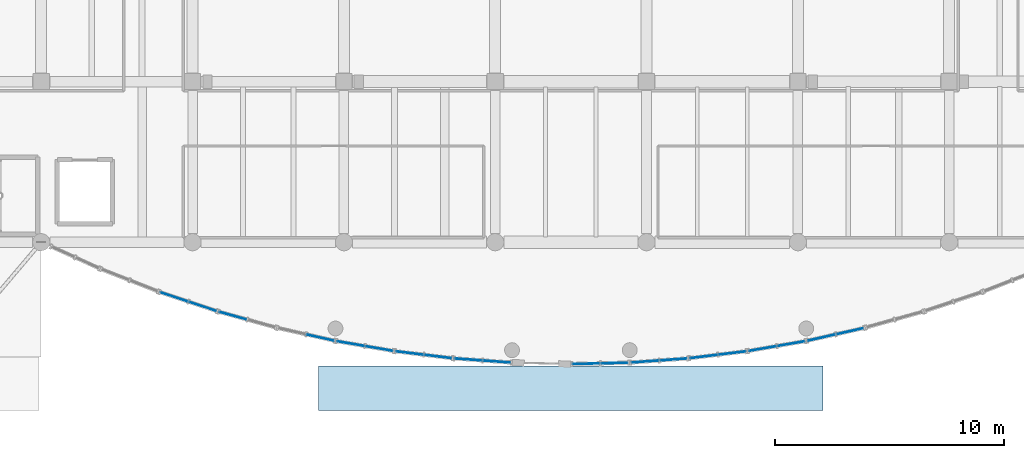
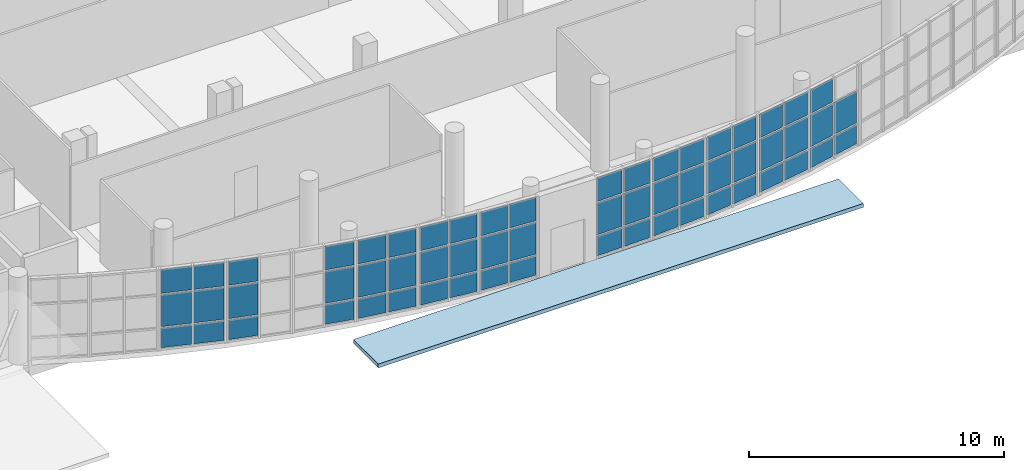
# One storey, part 35 of 69: 59 plates, 1 slab, 11 elements without a shape of their own.
"""IFC4 building model written with IfcOpenShell, lengths in metres."""

from ifc_helpers import new_model, si_unit, direction, frame, origin, origin_2d, place, context, subcontext, project, spatial, polyline, rectangle, outline, extrude, material, layer, layer_set, type_object, element, aggregate, save


model = new_model("IFC4")

# Units and contexts
model_context = context("Model", 3, precision=1e-05, world=origin(), true_north=direction((0.0, 1.0)))
body_context = subcontext(model_context, "Body", "Model", "MODEL_VIEW")
ifc_project = project(units=[si_unit("LENGTHUNIT", "METRE"), si_unit("AREAUNIT", "SQUARE_METRE"), si_unit("VOLUMEUNIT", "CUBIC_METRE"), si_unit("PLANEANGLEUNIT", "RADIAN"), si_unit("MASSUNIT", "GRAM", prefix="KILO")], contexts=[model_context])

# Site, building, storey
site_placement = place(None, origin())
site = spatial("IfcSite", under=ifc_project, at=site_placement, CompositionType="ELEMENT")
building_placement = place(site_placement, origin())
building = spatial("IfcBuilding", under=site, at=building_placement, Name="Ciguamira Faculty of Natural Sciences", CompositionType="ELEMENT")
storey_placement = place(building_placement, origin())
storey = spatial("IfcBuildingStorey", under=building, at=storey_placement, Name="L00", CompositionType="ELEMENT", Elevation=0.0)

# Curtain wall, plates
ifc_material_1 = material(Name="Anodized aluminium curtain wall", Category="aluminium")
curtain_wall_type_1 = type_object("IfcCurtainWallType", Name="CurtainWall_CW-09", PredefinedType="USERDEFINED", material=ifc_material_1)
curtain_wall_1_placement = place(storey_placement, origin())
curtain_wall_1 = element("IfcCurtainWall", 1, at=curtain_wall_1_placement, inside=storey, type_object=curtain_wall_type_1, Name="L00 south gallery curved curtain wall 03", ObjectType="UNITISED CURTAIN WALL", PredefinedType="USERDEFINED")
ifc_material_2 = material(Name="Low-E laminated solar glass", Category="glass")
ifc_layer_1 = layer(ifc_material_2, 0.028076171875, Name="Low-E laminated solar glass")
ifc_layer_set_1 = layer_set([ifc_layer_1], Name="Low-E laminated solar glass")
plate_type = type_object("IfcPlateType", Name="CWPanel_CWP-01", PredefinedType="CURTAIN_PANEL", material=ifc_layer_set_1)
plate_1_placement = place(storey_placement, frame((69.69384765625, 7.609619140625, 0.080078125), z_axis=(0.0, 0.0, 1.0), x_axis=(0.948735033862, -0.316072516242, 0.0)))
plate_1 = element("IfcPlate", 2, at=plate_1_placement, type_object=plate_type, Name="CW-09 panel 1.1", PredefinedType="CURTAIN_PANEL", context=body_context, shape_type="SweptSolid", body=[
    extrude(rectangle(XDim=1.232666015625, YDim=0.028076171875, at=origin_2d()), origin(), (0.0, 0.0, 1.0), 0.929931640625),
])
plate_2_placement = place(storey_placement, frame((69.69384765625, 7.609619140625, 1.090087890625), z_axis=(0.0, 0.0, 1.0), x_axis=(0.948735033862, -0.316072516242, 0.0)))
plate_2 = element("IfcPlate", 3, at=plate_2_placement, type_object=plate_type, Name="CW-09 panel 1.2", PredefinedType="CURTAIN_PANEL", context=body_context, shape_type="SweptSolid", body=[
    extrude(rectangle(XDim=1.232666015625, YDim=0.028076171875, at=origin_2d()), origin(), (0.0, 0.0, 1.0), 1.52001953125),
])
plate_3_placement = place(storey_placement, frame((69.69384765625, 7.609619140625, 2.68994140625), z_axis=(0.0, 0.0, 1.0), x_axis=(0.948735033862, -0.316072516242, 0.0)))
plate_3 = element("IfcPlate", 4, at=plate_3_placement, type_object=plate_type, Name="CW-09 panel 1.3", PredefinedType="CURTAIN_PANEL", context=body_context, shape_type="SweptSolid", body=[
    extrude(rectangle(XDim=1.232666015625, YDim=0.028076171875, at=origin_2d()), origin(), (0.0, 0.0, 1.0), 1.1298828125),
])
plate_4_placement = place(storey_placement, frame((70.939453125, 7.194580078125, 0.080078125), z_axis=(0.0, 0.0, 1.0), x_axis=(0.948735033862, -0.316072516242, 0.0)))
plate_4 = element("IfcPlate", 5, at=plate_4_placement, type_object=plate_type, Name="CW-09 panel 2.1", PredefinedType="CURTAIN_PANEL", context=body_context, shape_type="SweptSolid", body=[
    extrude(rectangle(XDim=1.232666015625, YDim=0.028076171875, at=origin_2d()), origin(), (0.0, 0.0, 1.0), 0.929931640625),
])
plate_5_placement = place(storey_placement, frame((70.939453125, 7.194580078125, 1.090087890625), z_axis=(0.0, 0.0, 1.0), x_axis=(0.948735033862, -0.316072516242, 0.0)))
plate_5 = element("IfcPlate", 6, at=plate_5_placement, type_object=plate_type, Name="CW-09 panel 2.2", PredefinedType="CURTAIN_PANEL", context=body_context, shape_type="SweptSolid", body=[
    extrude(rectangle(XDim=1.232666015625, YDim=0.028076171875, at=origin_2d()), origin(), (0.0, 0.0, 1.0), 1.52001953125),
])
plate_6_placement = place(storey_placement, frame((70.939453125, 7.194580078125, 2.68994140625), z_axis=(0.0, 0.0, 1.0), x_axis=(0.948735033862, -0.316072516242, 0.0)))
plate_6 = element("IfcPlate", 7, at=plate_6_placement, type_object=plate_type, Name="CW-09 panel 2.3", PredefinedType="CURTAIN_PANEL", context=body_context, shape_type="SweptSolid", body=[
    extrude(rectangle(XDim=1.232666015625, YDim=0.028076171875, at=origin_2d()), origin(), (0.0, 0.0, 1.0), 1.1298828125),
])
aggregate(curtain_wall_1, [plate_1, plate_2, plate_3, plate_4, plate_5, plate_6])

curtain_wall_type_2 = type_object("IfcCurtainWallType", Name="CurtainWall_CW-10", PredefinedType="USERDEFINED", material=ifc_material_1)
curtain_wall_2_placement = place(storey_placement, origin())
curtain_wall_2 = element("IfcCurtainWall", 8, at=curtain_wall_2_placement, inside=storey, type_object=curtain_wall_type_2, Name="L00 south gallery curved curtain wall 04", ObjectType="UNITISED CURTAIN WALL", PredefinedType="USERDEFINED")
plate_7_placement = place(storey_placement, frame((72.260986328125, 6.791015625, 0.080078125), z_axis=(0.0, 0.0, 1.0), x_axis=(0.963573286652, -0.267444426472, 0.0)))
plate_7 = element("IfcPlate", 9, at=plate_7_placement, type_object=plate_type, Name="CW-10 panel 1.1", PredefinedType="CURTAIN_PANEL", context=body_context, shape_type="SweptSolid", body=[
    extrude(rectangle(XDim=1.2119140625, YDim=0.028076171875, at=origin_2d()), origin(), (0.0, 0.0, 1.0), 0.929931640625),
])
plate_8_placement = place(storey_placement, frame((72.260986328125, 6.791015625, 1.090087890625), z_axis=(0.0, 0.0, 1.0), x_axis=(0.963573286652, -0.267444426472, 0.0)))
plate_8 = element("IfcPlate", 10, at=plate_8_placement, type_object=plate_type, Name="CW-10 panel 1.2", PredefinedType="CURTAIN_PANEL", context=body_context, shape_type="SweptSolid", body=[
    extrude(rectangle(XDim=1.2119140625, YDim=0.028076171875, at=origin_2d()), origin(), (0.0, 0.0, 1.0), 1.52001953125),
])
plate_9_placement = place(storey_placement, frame((72.260986328125, 6.791015625, 2.68994140625), z_axis=(0.0, 0.0, 1.0), x_axis=(0.963573286652, -0.267444426472, 0.0)))
plate_9 = element("IfcPlate", 11, at=plate_9_placement, type_object=plate_type, Name="CW-10 panel 1.3", PredefinedType="CURTAIN_PANEL", context=body_context, shape_type="SweptSolid", body=[
    extrude(rectangle(XDim=1.2119140625, YDim=0.028076171875, at=origin_2d()), origin(), (0.0, 0.0, 1.0), 1.1298828125),
])
aggregate(curtain_wall_2, [plate_7, plate_8, plate_9])

curtain_wall_type_3 = type_object("IfcCurtainWallType", Name="CurtainWall_CW-11", PredefinedType="USERDEFINED", material=ifc_material_1)
curtain_wall_3_placement = place(storey_placement, origin())
curtain_wall_3 = element("IfcCurtainWall", 12, at=curtain_wall_3_placement, inside=storey, type_object=curtain_wall_type_3, Name="L00 south gallery curved curtain wall 05", ObjectType="UNITISED CURTAIN WALL", PredefinedType="USERDEFINED")
plate_10_placement = place(storey_placement, frame((76.072021484375, 5.834716796875, 0.080078125), z_axis=(0.0, 0.0, 1.0), x_axis=(0.975762990759, -0.218830038763, 0.0)))
plate_10 = element("IfcPlate", 13, at=plate_10_placement, type_object=plate_type, Name="CW-11 panel 2.1", PredefinedType="CURTAIN_PANEL", context=body_context, shape_type="SweptSolid", body=[
    extrude(rectangle(XDim=1.195068359375, YDim=0.028076171875, at=origin_2d()), origin(), (0.0, 0.0, 1.0), 0.929931640625),
])
plate_11_placement = place(storey_placement, frame((76.072021484375, 5.834716796875, 1.090087890625), z_axis=(0.0, 0.0, 1.0), x_axis=(0.975762990759, -0.218830038763, 0.0)))
plate_11 = element("IfcPlate", 14, at=plate_11_placement, type_object=plate_type, Name="CW-11 panel 2.2", PredefinedType="CURTAIN_PANEL", context=body_context, shape_type="SweptSolid", body=[
    extrude(rectangle(XDim=1.195068359375, YDim=0.028076171875, at=origin_2d()), origin(), (0.0, 0.0, 1.0), 1.52001953125),
])
plate_12_placement = place(storey_placement, frame((76.072021484375, 5.834716796875, 2.68994140625), z_axis=(0.0, 0.0, 1.0), x_axis=(0.975762990759, -0.218830038763, 0.0)))
plate_12 = element("IfcPlate", 15, at=plate_12_placement, type_object=plate_type, Name="CW-11 panel 2.3", PredefinedType="CURTAIN_PANEL", context=body_context, shape_type="SweptSolid", body=[
    extrude(rectangle(XDim=1.195068359375, YDim=0.028076171875, at=origin_2d()), origin(), (0.0, 0.0, 1.0), 1.1298828125),
])
aggregate(curtain_wall_3, [plate_10, plate_11, plate_12])

curtain_wall_type_4 = type_object("IfcCurtainWallType", Name="CurtainWall_CW-12", PredefinedType="USERDEFINED", material=ifc_material_1)
curtain_wall_4_placement = place(storey_placement, origin())
curtain_wall_4 = element("IfcCurtainWall", 16, at=curtain_wall_4_placement, inside=storey, type_object=curtain_wall_type_4, Name="L00 south gallery curved curtain wall 06", ObjectType="UNITISED CURTAIN WALL", PredefinedType="USERDEFINED")
plate_13_placement = place(storey_placement, frame((77.394775390625, 5.572265625, 0.080078125), z_axis=(0.0, 0.0, 1.0), x_axis=(0.985410865099, -0.170192323402, 0.0)))
plate_13 = element("IfcPlate", 17, at=plate_13_placement, type_object=plate_type, Name="CW-12 panel 1.1", PredefinedType="CURTAIN_PANEL", context=body_context, shape_type="SweptSolid", body=[
    extrude(rectangle(XDim=1.182373046875, YDim=0.028076171875, at=origin_2d()), origin(), (0.0, 0.0, 1.0), 0.929931640625),
])
plate_14_placement = place(storey_placement, frame((77.394775390625, 5.572265625, 1.090087890625), z_axis=(0.0, 0.0, 1.0), x_axis=(0.985410865099, -0.170192323402, 0.0)))
plate_14 = element("IfcPlate", 18, at=plate_14_placement, type_object=plate_type, Name="CW-12 panel 1.2", PredefinedType="CURTAIN_PANEL", context=body_context, shape_type="SweptSolid", body=[
    extrude(rectangle(XDim=1.182373046875, YDim=0.028076171875, at=origin_2d()), origin(), (0.0, 0.0, 1.0), 1.52001953125),
])
plate_15_placement = place(storey_placement, frame((77.394775390625, 5.572265625, 2.68994140625), z_axis=(0.0, 0.0, 1.0), x_axis=(0.985410865099, -0.170192323402, 0.0)))
plate_15 = element("IfcPlate", 19, at=plate_15_placement, type_object=plate_type, Name="CW-12 panel 1.3", PredefinedType="CURTAIN_PANEL", context=body_context, shape_type="SweptSolid", body=[
    extrude(rectangle(XDim=1.182373046875, YDim=0.028076171875, at=origin_2d()), origin(), (0.0, 0.0, 1.0), 1.1298828125),
])
plate_16_placement = place(storey_placement, frame((78.638671875, 5.357421875, 0.080078125), z_axis=(0.0, 0.0, 1.0), x_axis=(0.985410865099, -0.170192323402, 0.0)))
plate_16 = element("IfcPlate", 20, at=plate_16_placement, type_object=plate_type, Name="CW-12 panel 2.1", PredefinedType="CURTAIN_PANEL", context=body_context, shape_type="SweptSolid", body=[
    extrude(rectangle(XDim=1.182373046875, YDim=0.028076171875, at=origin_2d()), origin(), (0.0, 0.0, 1.0), 0.929931640625),
])
plate_17_placement = place(storey_placement, frame((78.638671875, 5.357421875, 1.090087890625), z_axis=(0.0, 0.0, 1.0), x_axis=(0.985410865099, -0.170192323402, 0.0)))
plate_17 = element("IfcPlate", 21, at=plate_17_placement, type_object=plate_type, Name="CW-12 panel 2.2", PredefinedType="CURTAIN_PANEL", context=body_context, shape_type="SweptSolid", body=[
    extrude(rectangle(XDim=1.182373046875, YDim=0.028076171875, at=origin_2d()), origin(), (0.0, 0.0, 1.0), 1.52001953125),
])
plate_18_placement = place(storey_placement, frame((78.638671875, 5.357421875, 2.68994140625), z_axis=(0.0, 0.0, 1.0), x_axis=(0.985410865099, -0.170192323402, 0.0)))
plate_18 = element("IfcPlate", 22, at=plate_18_placement, type_object=plate_type, Name="CW-12 panel 2.3", PredefinedType="CURTAIN_PANEL", context=body_context, shape_type="SweptSolid", body=[
    extrude(rectangle(XDim=1.182373046875, YDim=0.028076171875, at=origin_2d()), origin(), (0.0, 0.0, 1.0), 1.1298828125),
])
aggregate(curtain_wall_4, [plate_13, plate_14, plate_15, plate_16, plate_17, plate_18])

curtain_wall_type_5 = type_object("IfcCurtainWallType", Name="CurtainWall_CW-01", PredefinedType="USERDEFINED", material=ifc_material_1)
curtain_wall_5_placement = place(storey_placement, origin())
curtain_wall_5 = element("IfcCurtainWall", 23, at=curtain_wall_5_placement, inside=storey, type_object=curtain_wall_type_5, Name="L00 south gallery curved curtain wall 07", ObjectType="UNITISED CURTAIN WALL", PredefinedType="USERDEFINED")
plate_19_placement = place(storey_placement, frame((79.96142578125, 5.162109375, 0.080078125), z_axis=(0.0, 0.0, 1.0), x_axis=(0.992585912631, -0.12154507825, 0.0)))
plate_19 = element("IfcPlate", 24, at=plate_19_placement, type_object=plate_type, Name="CW-01 panel 1.1", PredefinedType="CURTAIN_PANEL", context=body_context, shape_type="SweptSolid", body=[
    extrude(rectangle(XDim=1.1728515625, YDim=0.028076171875, at=origin_2d()), origin(), (0.0, 0.0, 1.0), 0.929931640625),
])
plate_20_placement = place(storey_placement, frame((79.96142578125, 5.162109375, 1.090087890625), z_axis=(0.0, 0.0, 1.0), x_axis=(0.992585912631, -0.12154507825, 0.0)))
plate_20 = element("IfcPlate", 25, at=plate_20_placement, type_object=plate_type, Name="CW-01 panel 1.2", PredefinedType="CURTAIN_PANEL", context=body_context, shape_type="SweptSolid", body=[
    extrude(rectangle(XDim=1.1728515625, YDim=0.028076171875, at=origin_2d()), origin(), (0.0, 0.0, 1.0), 1.52001953125),
])
plate_21_placement = place(storey_placement, frame((79.96142578125, 5.162109375, 2.68994140625), z_axis=(0.0, 0.0, 1.0), x_axis=(0.992585912631, -0.12154507825, 0.0)))
plate_21 = element("IfcPlate", 26, at=plate_21_placement, type_object=plate_type, Name="CW-01 panel 1.3", PredefinedType="CURTAIN_PANEL", context=body_context, shape_type="SweptSolid", body=[
    extrude(rectangle(XDim=1.1728515625, YDim=0.028076171875, at=origin_2d()), origin(), (0.0, 0.0, 1.0), 1.1298828125),
])
plate_22_placement = place(storey_placement, frame((81.205078125, 5.010009765625, 0.080078125), z_axis=(0.0, 0.0, 1.0), x_axis=(0.992585912631, -0.12154507825, 0.0)))
plate_22 = element("IfcPlate", 27, at=plate_22_placement, type_object=plate_type, Name="CW-01 panel 2.1", PredefinedType="CURTAIN_PANEL", context=body_context, shape_type="SweptSolid", body=[
    extrude(rectangle(XDim=1.1728515625, YDim=0.028076171875, at=origin_2d()), origin(), (0.0, 0.0, 1.0), 0.929931640625),
])
plate_23_placement = place(storey_placement, frame((81.205078125, 5.010009765625, 1.090087890625), z_axis=(0.0, 0.0, 1.0), x_axis=(0.992585912631, -0.12154507825, 0.0)))
plate_23 = element("IfcPlate", 28, at=plate_23_placement, type_object=plate_type, Name="CW-01 panel 2.2", PredefinedType="CURTAIN_PANEL", context=body_context, shape_type="SweptSolid", body=[
    extrude(rectangle(XDim=1.1728515625, YDim=0.028076171875, at=origin_2d()), origin(), (0.0, 0.0, 1.0), 1.52001953125),
])
plate_24_placement = place(storey_placement, frame((81.205078125, 5.010009765625, 2.68994140625), z_axis=(0.0, 0.0, 1.0), x_axis=(0.992585912631, -0.12154507825, 0.0)))
plate_24 = element("IfcPlate", 29, at=plate_24_placement, type_object=plate_type, Name="CW-01 panel 2.3", PredefinedType="CURTAIN_PANEL", context=body_context, shape_type="SweptSolid", body=[
    extrude(rectangle(XDim=1.1728515625, YDim=0.028076171875, at=origin_2d()), origin(), (0.0, 0.0, 1.0), 1.1298828125),
])
aggregate(curtain_wall_5, [plate_19, plate_20, plate_21, plate_22, plate_23, plate_24])

curtain_wall_type_6 = type_object("IfcCurtainWallType", Name="CurtainWall_CW-02", PredefinedType="USERDEFINED", material=ifc_material_1)
curtain_wall_6_placement = place(storey_placement, origin())
curtain_wall_6 = element("IfcCurtainWall", 30, at=curtain_wall_6_placement, inside=storey, type_object=curtain_wall_type_6, Name="L00 south gallery curved curtain wall 08", ObjectType="UNITISED CURTAIN WALL", PredefinedType="USERDEFINED")
plate_25_placement = place(storey_placement, frame((82.5283203125, 4.880615234375, 0.080078125), z_axis=(0.0, 0.0, 1.0), x_axis=(0.99733655099, -0.072936986916, 0.0)))
plate_25 = element("IfcPlate", 31, at=plate_25_placement, type_object=plate_type, Name="CW-02 panel 1.1", PredefinedType="CURTAIN_PANEL", context=body_context, shape_type="SweptSolid", body=[
    extrude(rectangle(XDim=1.166748046875, YDim=0.028076171875, at=origin_2d()), origin(), (0.0, 0.0, 1.0), 0.929931640625),
])
plate_26_placement = place(storey_placement, frame((82.5283203125, 4.880615234375, 1.090087890625), z_axis=(0.0, 0.0, 1.0), x_axis=(0.99733655099, -0.072936986916, 0.0)))
plate_26 = element("IfcPlate", 32, at=plate_26_placement, type_object=plate_type, Name="CW-02 panel 1.2", PredefinedType="CURTAIN_PANEL", context=body_context, shape_type="SweptSolid", body=[
    extrude(rectangle(XDim=1.166748046875, YDim=0.028076171875, at=origin_2d()), origin(), (0.0, 0.0, 1.0), 1.52001953125),
])
plate_27_placement = place(storey_placement, frame((82.5283203125, 4.880615234375, 2.68994140625), z_axis=(0.0, 0.0, 1.0), x_axis=(0.99733655099, -0.072936986916, 0.0)))
plate_27 = element("IfcPlate", 33, at=plate_27_placement, type_object=plate_type, Name="CW-02 panel 1.3", PredefinedType="CURTAIN_PANEL", context=body_context, shape_type="SweptSolid", body=[
    extrude(rectangle(XDim=1.166748046875, YDim=0.028076171875, at=origin_2d()), origin(), (0.0, 0.0, 1.0), 1.1298828125),
])
plate_28_placement = place(storey_placement, frame((83.771728515625, 4.78955078125, 0.080078125), z_axis=(0.0, 0.0, 1.0), x_axis=(0.99733655099, -0.072936986916, 0.0)))
plate_28 = element("IfcPlate", 34, at=plate_28_placement, type_object=plate_type, Name="CW-02 panel 2.1", PredefinedType="CURTAIN_PANEL", context=body_context, shape_type="SweptSolid", body=[
    extrude(rectangle(XDim=1.166748046875, YDim=0.028076171875, at=origin_2d()), origin(), (0.0, 0.0, 1.0), 0.929931640625),
])
plate_29_placement = place(storey_placement, frame((83.771728515625, 4.78955078125, 1.090087890625), z_axis=(0.0, 0.0, 1.0), x_axis=(0.99733655099, -0.072936986916, 0.0)))
plate_29 = element("IfcPlate", 35, at=plate_29_placement, type_object=plate_type, Name="CW-02 panel 2.2", PredefinedType="CURTAIN_PANEL", context=body_context, shape_type="SweptSolid", body=[
    extrude(rectangle(XDim=1.166748046875, YDim=0.028076171875, at=origin_2d()), origin(), (0.0, 0.0, 1.0), 1.52001953125),
])
plate_30_placement = place(storey_placement, frame((83.771728515625, 4.78955078125, 2.68994140625), z_axis=(0.0, 0.0, 1.0), x_axis=(0.99733655099, -0.072936986916, 0.0)))
plate_30 = element("IfcPlate", 36, at=plate_30_placement, type_object=plate_type, Name="CW-02 panel 2.3", PredefinedType="CURTAIN_PANEL", context=body_context, shape_type="SweptSolid", body=[
    extrude(rectangle(XDim=1.166748046875, YDim=0.028076171875, at=origin_2d()), origin(), (0.0, 0.0, 1.0), 1.1298828125),
])
aggregate(curtain_wall_6, [plate_25, plate_26, plate_27, plate_28, plate_29, plate_30])

curtain_wall_type_7 = type_object("IfcCurtainWallType", Name="CurtainWall_CW-03", PredefinedType="USERDEFINED", material=ifc_material_1)
curtain_wall_7_placement = place(storey_placement, origin())
curtain_wall_7 = element("IfcCurtainWall", 37, at=curtain_wall_7_placement, inside=storey, type_object=curtain_wall_type_7, Name="L00 south gallery curved curtain wall 10", ObjectType="UNITISED CURTAIN WALL", PredefinedType="USERDEFINED")
plate_31_placement = place(storey_placement, frame((87.66162109375, 4.69482421875, 0.080078125), z_axis=(0.0, 0.0, 1.0), x_axis=(0.999703662415, 0.024343117197, 0.0)))
plate_31 = element("IfcPlate", 38, at=plate_31_placement, type_object=plate_type, Name="CW-03 panel 1.1", PredefinedType="CURTAIN_PANEL", context=body_context, shape_type="SweptSolid", body=[
    extrude(rectangle(XDim=1.163818359375, YDim=0.028076171875, at=origin_2d()), origin(), (0.0, 0.0, 1.0), 0.929931640625),
])
plate_32_placement = place(storey_placement, frame((87.66162109375, 4.69482421875, 1.090087890625), z_axis=(0.0, 0.0, 1.0), x_axis=(0.999703662415, 0.024343117197, 0.0)))
plate_32 = element("IfcPlate", 39, at=plate_32_placement, type_object=plate_type, Name="CW-03 panel 1.2", PredefinedType="CURTAIN_PANEL", context=body_context, shape_type="SweptSolid", body=[
    extrude(rectangle(XDim=1.163818359375, YDim=0.028076171875, at=origin_2d()), origin(), (0.0, 0.0, 1.0), 1.52001953125),
])
plate_33_placement = place(storey_placement, frame((87.66162109375, 4.69482421875, 2.68994140625), z_axis=(0.0, 0.0, 1.0), x_axis=(0.999703662415, 0.024343117197, 0.0)))
plate_33 = element("IfcPlate", 40, at=plate_33_placement, type_object=plate_type, Name="CW-03 panel 1.3", PredefinedType="CURTAIN_PANEL", context=body_context, shape_type="SweptSolid", body=[
    extrude(rectangle(XDim=1.163818359375, YDim=0.028076171875, at=origin_2d()), origin(), (0.0, 0.0, 1.0), 1.1298828125),
])
plate_34_placement = place(storey_placement, frame((88.905029296875, 4.72509765625, 0.080078125), z_axis=(0.0, 0.0, 1.0), x_axis=(0.999703662415, 0.024343117197, 0.0)))
plate_34 = element("IfcPlate", 41, at=plate_34_placement, type_object=plate_type, Name="CW-03 panel 2.1", PredefinedType="CURTAIN_PANEL", context=body_context, shape_type="SweptSolid", body=[
    extrude(rectangle(XDim=1.163818359375, YDim=0.028076171875, at=origin_2d()), origin(), (0.0, 0.0, 1.0), 0.929931640625),
])
plate_35_placement = place(storey_placement, frame((88.905029296875, 4.72509765625, 1.090087890625), z_axis=(0.0, 0.0, 1.0), x_axis=(0.999703662415, 0.024343117197, 0.0)))
plate_35 = element("IfcPlate", 42, at=plate_35_placement, type_object=plate_type, Name="CW-03 panel 2.2", PredefinedType="CURTAIN_PANEL", context=body_context, shape_type="SweptSolid", body=[
    extrude(rectangle(XDim=1.163818359375, YDim=0.028076171875, at=origin_2d()), origin(), (0.0, 0.0, 1.0), 1.52001953125),
])
plate_36_placement = place(storey_placement, frame((88.905029296875, 4.72509765625, 2.68994140625), z_axis=(0.0, 0.0, 1.0), x_axis=(0.999703662415, 0.024343117197, 0.0)))
plate_36 = element("IfcPlate", 43, at=plate_36_placement, type_object=plate_type, Name="CW-03 panel 2.3", PredefinedType="CURTAIN_PANEL", context=body_context, shape_type="SweptSolid", body=[
    extrude(rectangle(XDim=1.163818359375, YDim=0.028076171875, at=origin_2d()), origin(), (0.0, 0.0, 1.0), 1.1298828125),
])
aggregate(curtain_wall_7, [plate_31, plate_32, plate_33, plate_34, plate_35, plate_36])

curtain_wall_type_8 = type_object("IfcCurtainWallType", Name="CurtainWall_CW-04", PredefinedType="USERDEFINED", material=ifc_material_1)
curtain_wall_8_placement = place(storey_placement, origin())
curtain_wall_8 = element("IfcCurtainWall", 44, at=curtain_wall_8_placement, inside=storey, type_object=curtain_wall_type_8, Name="L00 south gallery curved curtain wall 11", ObjectType="UNITISED CURTAIN WALL", PredefinedType="USERDEFINED")
plate_37_placement = place(storey_placement, frame((90.228271484375, 4.78955078125, 0.080078125), z_axis=(0.0, 0.0, 1.0), x_axis=(0.99733655099, 0.072936986916, 0.0)))
plate_37 = element("IfcPlate", 45, at=plate_37_placement, type_object=plate_type, Name="CW-04 panel 1.1", PredefinedType="CURTAIN_PANEL", context=body_context, shape_type="SweptSolid", body=[
    extrude(rectangle(XDim=1.166748046875, YDim=0.028076171875, at=origin_2d()), origin(), (0.0, 0.0, 1.0), 0.929931640625),
])
plate_38_placement = place(storey_placement, frame((90.228271484375, 4.78955078125, 1.090087890625), z_axis=(0.0, 0.0, 1.0), x_axis=(0.99733655099, 0.072936986916, 0.0)))
plate_38 = element("IfcPlate", 46, at=plate_38_placement, type_object=plate_type, Name="CW-04 panel 1.2", PredefinedType="CURTAIN_PANEL", context=body_context, shape_type="SweptSolid", body=[
    extrude(rectangle(XDim=1.166748046875, YDim=0.028076171875, at=origin_2d()), origin(), (0.0, 0.0, 1.0), 1.52001953125),
])
plate_39_placement = place(storey_placement, frame((90.228271484375, 4.78955078125, 2.68994140625), z_axis=(0.0, 0.0, 1.0), x_axis=(0.99733655099, 0.072936986916, 0.0)))
plate_39 = element("IfcPlate", 47, at=plate_39_placement, type_object=plate_type, Name="CW-04 panel 1.3", PredefinedType="CURTAIN_PANEL", context=body_context, shape_type="SweptSolid", body=[
    extrude(rectangle(XDim=1.166748046875, YDim=0.028076171875, at=origin_2d()), origin(), (0.0, 0.0, 1.0), 1.1298828125),
])
plate_40_placement = place(storey_placement, frame((91.4716796875, 4.880615234375, 0.080078125), z_axis=(0.0, 0.0, 1.0), x_axis=(0.99733655099, 0.072936986916, 0.0)))
plate_40 = element("IfcPlate", 48, at=plate_40_placement, type_object=plate_type, Name="CW-04 panel 2.1", PredefinedType="CURTAIN_PANEL", context=body_context, shape_type="SweptSolid", body=[
    extrude(rectangle(XDim=1.166748046875, YDim=0.028076171875, at=origin_2d()), origin(), (0.0, 0.0, 1.0), 0.929931640625),
])
plate_41_placement = place(storey_placement, frame((91.4716796875, 4.880615234375, 1.090087890625), z_axis=(0.0, 0.0, 1.0), x_axis=(0.99733655099, 0.072936986916, 0.0)))
plate_41 = element("IfcPlate", 49, at=plate_41_placement, type_object=plate_type, Name="CW-04 panel 2.2", PredefinedType="CURTAIN_PANEL", context=body_context, shape_type="SweptSolid", body=[
    extrude(rectangle(XDim=1.166748046875, YDim=0.028076171875, at=origin_2d()), origin(), (0.0, 0.0, 1.0), 1.52001953125),
])
plate_42_placement = place(storey_placement, frame((91.4716796875, 4.880615234375, 2.68994140625), z_axis=(0.0, 0.0, 1.0), x_axis=(0.99733655099, 0.072936986916, 0.0)))
plate_42 = element("IfcPlate", 50, at=plate_42_placement, type_object=plate_type, Name="CW-04 panel 2.3", PredefinedType="CURTAIN_PANEL", context=body_context, shape_type="SweptSolid", body=[
    extrude(rectangle(XDim=1.166748046875, YDim=0.028076171875, at=origin_2d()), origin(), (0.0, 0.0, 1.0), 1.1298828125),
])
aggregate(curtain_wall_8, [plate_37, plate_38, plate_39, plate_40, plate_41, plate_42])

curtain_wall_type_9 = type_object("IfcCurtainWallType", Name="CurtainWall_CW-05", PredefinedType="USERDEFINED", material=ifc_material_1)
curtain_wall_9_placement = place(storey_placement, origin())
curtain_wall_9 = element("IfcCurtainWall", 51, at=curtain_wall_9_placement, inside=storey, type_object=curtain_wall_type_9, Name="L00 south gallery curved curtain wall 12", ObjectType="UNITISED CURTAIN WALL", PredefinedType="USERDEFINED")
plate_43_placement = place(storey_placement, frame((92.794921875, 5.010009765625, 0.080078125), z_axis=(0.0, 0.0, 1.0), x_axis=(0.992585912631, 0.12154507825, 0.0)))
plate_43 = element("IfcPlate", 52, at=plate_43_placement, type_object=plate_type, Name="CW-05 panel 1.1", PredefinedType="CURTAIN_PANEL", context=body_context, shape_type="SweptSolid", body=[
    extrude(rectangle(XDim=1.1728515625, YDim=0.028076171875, at=origin_2d()), origin(), (0.0, 0.0, 1.0), 0.929931640625),
])
plate_44_placement = place(storey_placement, frame((92.794921875, 5.010009765625, 1.090087890625), z_axis=(0.0, 0.0, 1.0), x_axis=(0.992585912631, 0.12154507825, 0.0)))
plate_44 = element("IfcPlate", 53, at=plate_44_placement, type_object=plate_type, Name="CW-05 panel 1.2", PredefinedType="CURTAIN_PANEL", context=body_context, shape_type="SweptSolid", body=[
    extrude(rectangle(XDim=1.1728515625, YDim=0.028076171875, at=origin_2d()), origin(), (0.0, 0.0, 1.0), 1.52001953125),
])
plate_45_placement = place(storey_placement, frame((92.794921875, 5.010009765625, 2.68994140625), z_axis=(0.0, 0.0, 1.0), x_axis=(0.992585912631, 0.12154507825, 0.0)))
plate_45 = element("IfcPlate", 54, at=plate_45_placement, type_object=plate_type, Name="CW-05 panel 1.3", PredefinedType="CURTAIN_PANEL", context=body_context, shape_type="SweptSolid", body=[
    extrude(rectangle(XDim=1.1728515625, YDim=0.028076171875, at=origin_2d()), origin(), (0.0, 0.0, 1.0), 1.1298828125),
])
plate_46_placement = place(storey_placement, frame((94.03857421875, 5.162109375, 0.080078125), z_axis=(0.0, 0.0, 1.0), x_axis=(0.992585912631, 0.12154507825, 0.0)))
plate_46 = element("IfcPlate", 55, at=plate_46_placement, type_object=plate_type, Name="CW-05 panel 2.1", PredefinedType="CURTAIN_PANEL", context=body_context, shape_type="SweptSolid", body=[
    extrude(rectangle(XDim=1.1728515625, YDim=0.028076171875, at=origin_2d()), origin(), (0.0, 0.0, 1.0), 0.929931640625),
])
plate_47_placement = place(storey_placement, frame((94.03857421875, 5.162109375, 1.090087890625), z_axis=(0.0, 0.0, 1.0), x_axis=(0.992585912631, 0.12154507825, 0.0)))
plate_47 = element("IfcPlate", 56, at=plate_47_placement, type_object=plate_type, Name="CW-05 panel 2.2", PredefinedType="CURTAIN_PANEL", context=body_context, shape_type="SweptSolid", body=[
    extrude(rectangle(XDim=1.1728515625, YDim=0.028076171875, at=origin_2d()), origin(), (0.0, 0.0, 1.0), 1.52001953125),
])
plate_48_placement = place(storey_placement, frame((94.03857421875, 5.162109375, 2.68994140625), z_axis=(0.0, 0.0, 1.0), x_axis=(0.992585912631, 0.12154507825, 0.0)))
plate_48 = element("IfcPlate", 57, at=plate_48_placement, type_object=plate_type, Name="CW-05 panel 2.3", PredefinedType="CURTAIN_PANEL", context=body_context, shape_type="SweptSolid", body=[
    extrude(rectangle(XDim=1.1728515625, YDim=0.028076171875, at=origin_2d()), origin(), (0.0, 0.0, 1.0), 1.1298828125),
])
aggregate(curtain_wall_9, [plate_43, plate_44, plate_45, plate_46, plate_47, plate_48])

curtain_wall_type_10 = type_object("IfcCurtainWallType", Name="CurtainWall_CW-06", PredefinedType="USERDEFINED", material=ifc_material_1)
curtain_wall_10_placement = place(storey_placement, origin())
curtain_wall_10 = element("IfcCurtainWall", 58, at=curtain_wall_10_placement, inside=storey, type_object=curtain_wall_type_10, Name="L00 south gallery curved curtain wall 13", ObjectType="UNITISED CURTAIN WALL", PredefinedType="USERDEFINED")
plate_49_placement = place(storey_placement, frame((95.361328125, 5.357421875, 0.080078125), z_axis=(0.0, 0.0, 1.0), x_axis=(0.985410865099, 0.170192323402, 0.0)))
plate_49 = element("IfcPlate", 59, at=plate_49_placement, type_object=plate_type, Name="CW-06 panel 1.1", PredefinedType="CURTAIN_PANEL", context=body_context, shape_type="SweptSolid", body=[
    extrude(rectangle(XDim=1.182373046875, YDim=0.028076171875, at=origin_2d()), origin(), (0.0, 0.0, 1.0), 0.929931640625),
])
plate_50_placement = place(storey_placement, frame((95.361328125, 5.357421875, 1.090087890625), z_axis=(0.0, 0.0, 1.0), x_axis=(0.985410865099, 0.170192323402, 0.0)))
plate_50 = element("IfcPlate", 60, at=plate_50_placement, type_object=plate_type, Name="CW-06 panel 1.2", PredefinedType="CURTAIN_PANEL", context=body_context, shape_type="SweptSolid", body=[
    extrude(rectangle(XDim=1.182373046875, YDim=0.028076171875, at=origin_2d()), origin(), (0.0, 0.0, 1.0), 1.52001953125),
])
plate_51_placement = place(storey_placement, frame((95.361328125, 5.357421875, 2.68994140625), z_axis=(0.0, 0.0, 1.0), x_axis=(0.985410865099, 0.170192323402, 0.0)))
plate_51 = element("IfcPlate", 61, at=plate_51_placement, type_object=plate_type, Name="CW-06 panel 1.3", PredefinedType="CURTAIN_PANEL", context=body_context, shape_type="SweptSolid", body=[
    extrude(rectangle(XDim=1.182373046875, YDim=0.028076171875, at=origin_2d()), origin(), (0.0, 0.0, 1.0), 1.1298828125),
])
plate_52_placement = place(storey_placement, frame((96.605224609375, 5.572265625, 0.080078125), z_axis=(0.0, 0.0, 1.0), x_axis=(0.985410865099, 0.170192323402, 0.0)))
plate_52 = element("IfcPlate", 62, at=plate_52_placement, type_object=plate_type, Name="CW-06 panel 2.1", PredefinedType="CURTAIN_PANEL", context=body_context, shape_type="SweptSolid", body=[
    extrude(rectangle(XDim=1.182373046875, YDim=0.028076171875, at=origin_2d()), origin(), (0.0, 0.0, 1.0), 0.929931640625),
])
plate_53_placement = place(storey_placement, frame((96.605224609375, 5.572265625, 1.090087890625), z_axis=(0.0, 0.0, 1.0), x_axis=(0.985410865099, 0.170192323402, 0.0)))
plate_53 = element("IfcPlate", 63, at=plate_53_placement, type_object=plate_type, Name="CW-06 panel 2.2", PredefinedType="CURTAIN_PANEL", context=body_context, shape_type="SweptSolid", body=[
    extrude(rectangle(XDim=1.182373046875, YDim=0.028076171875, at=origin_2d()), origin(), (0.0, 0.0, 1.0), 1.52001953125),
])
plate_54_placement = place(storey_placement, frame((96.605224609375, 5.572265625, 2.68994140625), z_axis=(0.0, 0.0, 1.0), x_axis=(0.985410865099, 0.170192323402, 0.0)))
plate_54 = element("IfcPlate", 64, at=plate_54_placement, type_object=plate_type, Name="CW-06 panel 2.3", PredefinedType="CURTAIN_PANEL", context=body_context, shape_type="SweptSolid", body=[
    extrude(rectangle(XDim=1.182373046875, YDim=0.028076171875, at=origin_2d()), origin(), (0.0, 0.0, 1.0), 1.1298828125),
])
aggregate(curtain_wall_10, [plate_49, plate_50, plate_51, plate_52, plate_53, plate_54])

curtain_wall_type_11 = type_object("IfcCurtainWallType", Name="CurtainWall_CW-07", PredefinedType="USERDEFINED", material=ifc_material_1)
curtain_wall_11_placement = place(storey_placement, origin())
curtain_wall_11 = element("IfcCurtainWall", 65, at=curtain_wall_11_placement, inside=storey, type_object=curtain_wall_type_11, Name="L00 south gallery curved curtain wall 14", ObjectType="UNITISED CURTAIN WALL", PredefinedType="USERDEFINED")
plate_55_placement = place(storey_placement, frame((97.927978515625, 5.834716796875, 0.080078125), z_axis=(0.0, 0.0, 1.0), x_axis=(0.975762990759, 0.218830038763, 0.0)))
plate_55 = element("IfcPlate", 66, at=plate_55_placement, type_object=plate_type, Name="CW-07 panel 1.1", PredefinedType="CURTAIN_PANEL", context=body_context, shape_type="SweptSolid", body=[
    extrude(rectangle(XDim=1.195068359375, YDim=0.028076171875, at=origin_2d()), origin(), (0.0, 0.0, 1.0), 0.929931640625),
])
plate_56_placement = place(storey_placement, frame((97.927978515625, 5.834716796875, 1.090087890625), z_axis=(0.0, 0.0, 1.0), x_axis=(0.975762990759, 0.218830038763, 0.0)))
plate_56 = element("IfcPlate", 67, at=plate_56_placement, type_object=plate_type, Name="CW-07 panel 1.2", PredefinedType="CURTAIN_PANEL", context=body_context, shape_type="SweptSolid", body=[
    extrude(rectangle(XDim=1.195068359375, YDim=0.028076171875, at=origin_2d()), origin(), (0.0, 0.0, 1.0), 1.52001953125),
])
plate_57_placement = place(storey_placement, frame((97.927978515625, 5.834716796875, 2.68994140625), z_axis=(0.0, 0.0, 1.0), x_axis=(0.975762990759, 0.218830038763, 0.0)))
plate_57 = element("IfcPlate", 68, at=plate_57_placement, type_object=plate_type, Name="CW-07 panel 1.3", PredefinedType="CURTAIN_PANEL", context=body_context, shape_type="SweptSolid", body=[
    extrude(rectangle(XDim=1.195068359375, YDim=0.028076171875, at=origin_2d()), origin(), (0.0, 0.0, 1.0), 1.1298828125),
])
plate_58_placement = place(storey_placement, frame((99.172119140625, 6.11376953125, 0.080078125), z_axis=(0.0, 0.0, 1.0), x_axis=(0.975762990759, 0.218830038763, 0.0)))
plate_58 = element("IfcPlate", 69, at=plate_58_placement, type_object=plate_type, Name="CW-07 panel 2.1", PredefinedType="CURTAIN_PANEL", context=body_context, shape_type="SweptSolid", body=[
    extrude(rectangle(XDim=1.195068359375, YDim=0.028076171875, at=origin_2d()), origin(), (0.0, 0.0, 1.0), 0.929931640625),
])
plate_59_placement = place(storey_placement, frame((99.172119140625, 6.11376953125, 1.090087890625), z_axis=(0.0, 0.0, 1.0), x_axis=(0.975762990759, 0.218830038763, 0.0)))
plate_59 = element("IfcPlate", 70, at=plate_59_placement, type_object=plate_type, Name="CW-07 panel 2.2", PredefinedType="CURTAIN_PANEL", context=body_context, shape_type="SweptSolid", body=[
    extrude(rectangle(XDim=1.195068359375, YDim=0.028076171875, at=origin_2d()), origin(), (0.0, 0.0, 1.0), 1.52001953125),
])
aggregate(curtain_wall_11, [plate_55, plate_56, plate_57, plate_58, plate_59])

# Slab
ifc_material_3 = material(Name="Precast concrete C35/45", Category="concrete")
ifc_layer_2 = layer(ifc_material_3, 0.179931640625, Name="Precast concrete C35/45")
ifc_layer_set_2 = layer_set([ifc_layer_2], Name="Precast concrete C35/45")
slab_type = type_object("IfcSlabType", Name="PavingSlab_PV01", PredefinedType="BASESLAB", material=ifc_layer_set_2)
slab_placement = place(storey_placement, frame((0.0, 0.0, -0.179931640625)))
element("IfcSlab", 71, at=slab_placement, inside=storey, type_object=slab_type, Name="South Canopy Arrival Threshold Pad", PredefinedType="BASESLAB", context=body_context, shape_type="SweptSolid", body=[
    extrude(outline(polyline([(76.0, 2.64990234375), (98.0, 2.64990234375), (98.0, 4.60009765625), (76.0, 4.60009765625), (76.0, 2.64990234375)])), origin(), (0.0, 0.0, 1.0), 0.179931640625),
])

save(model, "model.ifc")
